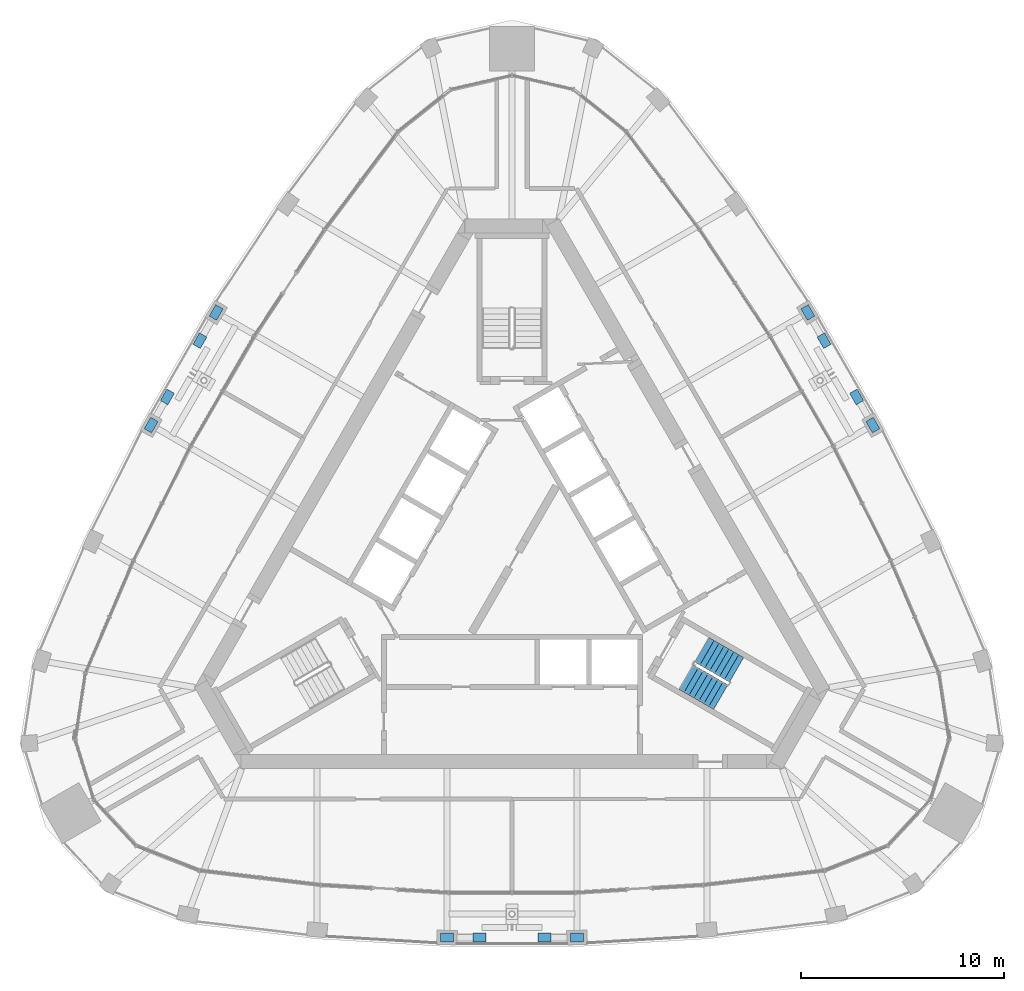
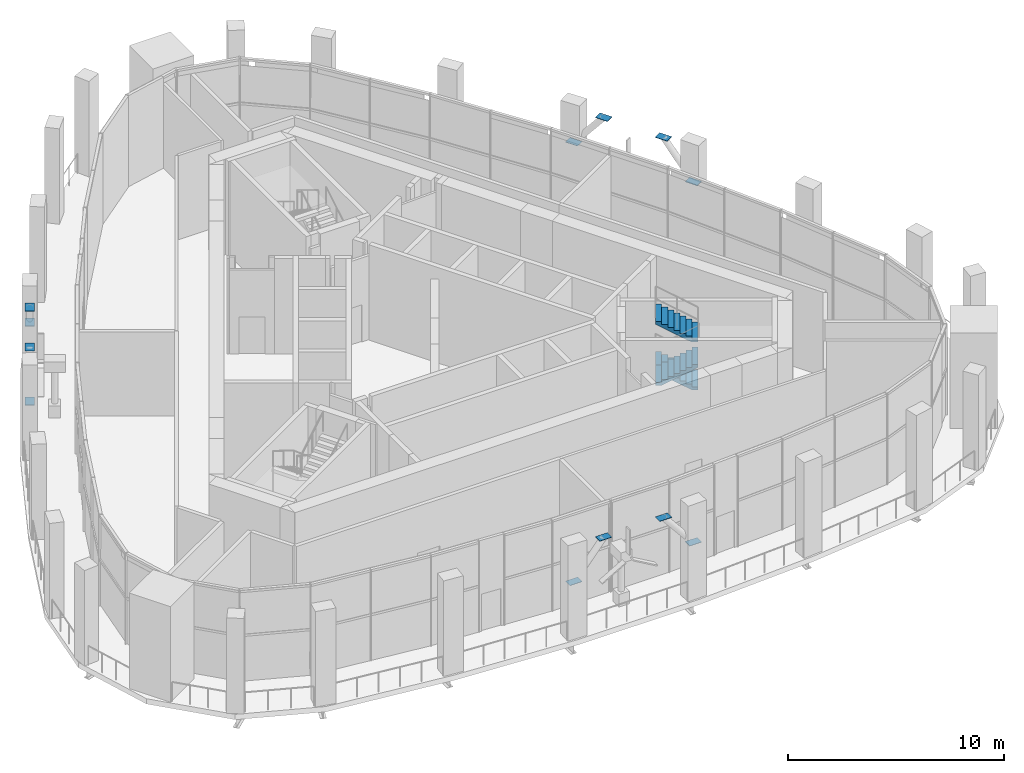
# One storey, part 17 of 23: 12 discrete accessories, 3 stair flights, 1 element without a shape of its own.
"""IFC4 building model written with IfcOpenShell, lengths in metres."""

from ifc_helpers import new_model, si_unit, direction, frame, origin, place, context, subcontext, project, spatial, polyline, outline, extrude, material, layer, layer_set, type_object, element, aggregate, save


model = new_model("IFC4")

# Units and contexts
model_context = context("Model", 3, precision=1e-05, world=origin(), true_north=direction((0.0, 1.0)))
body_context = subcontext(model_context, "Body", "Model", "MODEL_VIEW")
ifc_project = project(units=[si_unit("LENGTHUNIT", "METRE"), si_unit("AREAUNIT", "SQUARE_METRE"), si_unit("VOLUMEUNIT", "CUBIC_METRE"), si_unit("PLANEANGLEUNIT", "RADIAN"), si_unit("MASSUNIT", "GRAM", prefix="KILO")], contexts=[model_context])

# Site, building, storey
site_placement = place(None, origin())
site = spatial("IfcSite", under=ifc_project, at=site_placement, CompositionType="ELEMENT")
building_placement = place(site_placement, origin())
building = spatial("IfcBuilding", under=site, at=building_placement, Name="Mestral Congress Tower", CompositionType="ELEMENT")
storey_placement = place(building_placement, frame((0.0, 0.0, 261.60009765625)))
storey = spatial("IfcBuildingStorey", under=building, at=storey_placement, Name="L61", CompositionType="ELEMENT", Elevation=261.60009765625)

# Stair, stair flights
ifc_material_1 = material(Name="Concrete C60/75", Category="concrete")
stair_type = type_object("IfcStairType", Name="Exit stair 1400", PredefinedType="HALF_TURN_STAIR", material=ifc_material_1)
stair_placement = place(storey_placement, origin())
stair = element("IfcStair", 1, at=stair_placement, inside=storey, type_object=stair_type, Name="L61 ST1", PredefinedType="HALF_TURN_STAIR")
stair_flight_type = type_object("IfcStairFlightType", Name="Exit stair flight 1400", PredefinedType="STRAIGHT", material=ifc_material_1)
stair_flight_1_placement = place(storey_placement, frame((11.04833984375, -5.48388671875, 1.349853515625), z_axis=(0.0, 0.0, 1.0), x_axis=(-0.866025403784, 0.5, 0.0)))
stair_flight_1 = element("IfcStairFlight", 2, at=stair_flight_1_placement, type_object=stair_flight_type, Name="ST1 flight 2", NumberOfRisers=8, NumberOfTreads=7, PredefinedType="STRAIGHT", RiserHeight=0.16875, TreadLength=0.28, context=body_context, shape_type="SweptSolid", body=[
    extrude(outline(polyline([(0.0, 0.0), (0.0, 0.168701171875), (0.280029296875, 0.168701171875), (0.280029296875, 0.33740234375), (0.56005859375, 0.33740234375), (0.56005859375, 0.50634765625), (0.840087890625, 0.50634765625), (0.840087890625, 0.675048828125), (1.1201171875, 0.675048828125), (1.1201171875, 0.84375), (1.39990234375, 0.84375), (1.39990234375, 1.012451171875), (1.679931640625, 1.012451171875), (1.679931640625, 1.18115234375), (1.9599609375, 1.18115234375), (1.9599609375, 1.35009765625), (1.9599609375, 1.00634765625), (0.29052734375, 0.0), (0.0, 0.0)])), frame((0.0, 0.699951171875, 0.0), z_axis=(0.0, -1.0, 0.0), x_axis=(1.0, 0.0, 0.0)), (0.0, 0.0, 1.0), 0.700927734375),
    extrude(outline(polyline([(0.0, 0.0), (0.0, 0.168701171875), (0.280029296875, 0.168701171875), (0.280029296875, 0.33740234375), (0.56005859375, 0.33740234375), (0.56005859375, 0.50634765625), (0.840087890625, 0.50634765625), (0.840087890625, 0.675048828125), (1.1201171875, 0.675048828125), (1.1201171875, 0.84375), (1.39990234375, 0.84375), (1.39990234375, 1.012451171875), (1.679931640625, 1.012451171875), (1.679931640625, 1.18115234375), (1.9599609375, 1.18115234375), (1.9599609375, 1.35009765625), (1.9599609375, 1.00634765625), (0.29052734375, 0.0), (0.0, 0.0)])), frame((0.0, 0.0009765625, 0.0), z_axis=(0.0, -1.0, 0.0), x_axis=(1.0, 0.0, 0.0)), (0.0, 0.0, 1.0), 0.700927734375),
])
stair_flight_2_placement = place(storey_placement, frame((8.575927734375, -5.84619140625, 2.699951171875), z_axis=(0.0, 0.0, 1.0), x_axis=(0.866025403784, -0.5, 0.0)))
stair_flight_2 = element("IfcStairFlight", 3, at=stair_flight_2_placement, type_object=stair_flight_type, Name="ST1 flight 3", NumberOfRisers=8, NumberOfTreads=7, PredefinedType="STRAIGHT", RiserHeight=0.16875, TreadLength=0.28, context=body_context, shape_type="SweptSolid", body=[
    extrude(outline(polyline([(0.0, 0.0), (0.0, 0.168701171875), (0.280029296875, 0.168701171875), (0.280029296875, 0.33740234375), (0.56005859375, 0.33740234375), (0.56005859375, 0.50634765625), (0.840087890625, 0.50634765625), (0.840087890625, 0.675048828125), (1.1201171875, 0.675048828125), (1.1201171875, 0.84375), (1.39990234375, 0.84375), (1.39990234375, 1.012451171875), (1.679931640625, 1.012451171875), (1.679931640625, 1.18115234375), (1.9599609375, 1.18115234375), (1.9599609375, 1.35009765625), (1.9599609375, 1.00634765625), (0.29052734375, 0.0), (0.0, 0.0)])), frame((0.0, 0.699951171875, 0.0), z_axis=(0.0, -1.0, 0.0), x_axis=(1.0, 0.0, 0.0)), (0.0, 0.0, 1.0), 0.700927734375),
    extrude(outline(polyline([(0.0, 0.0), (0.0, 0.168701171875), (0.280029296875, 0.168701171875), (0.280029296875, 0.33740234375), (0.56005859375, 0.33740234375), (0.56005859375, 0.50634765625), (0.840087890625, 0.50634765625), (0.840087890625, 0.675048828125), (1.1201171875, 0.675048828125), (1.1201171875, 0.84375), (1.39990234375, 0.84375), (1.39990234375, 1.012451171875), (1.679931640625, 1.012451171875), (1.679931640625, 1.18115234375), (1.9599609375, 1.18115234375), (1.9599609375, 1.35009765625), (1.9599609375, 1.00634765625), (0.29052734375, 0.0), (0.0, 0.0)])), frame((0.0, 0.0009765625, 0.0), z_axis=(0.0, -1.0, 0.0), x_axis=(1.0, 0.0, 0.0)), (0.0, 0.0, 1.0), 0.700927734375),
])
stair_flight_3_placement = place(storey_placement, frame((11.04833984375, -5.48388671875, 4.0498046875), z_axis=(0.0, 0.0, 1.0), x_axis=(-0.866025403784, 0.5, 0.0)))
stair_flight_3 = element("IfcStairFlight", 4, at=stair_flight_3_placement, type_object=stair_flight_type, Name="ST1 flight 4", NumberOfRisers=8, NumberOfTreads=7, PredefinedType="STRAIGHT", RiserHeight=0.16875, TreadLength=0.28, context=body_context, shape_type="SweptSolid", body=[
    extrude(outline(polyline([(0.0, 0.0), (0.0, 0.168701171875), (0.280029296875, 0.168701171875), (0.280029296875, 0.33740234375), (0.56005859375, 0.33740234375), (0.56005859375, 0.50634765625), (0.840087890625, 0.50634765625), (0.840087890625, 0.675048828125), (1.1201171875, 0.675048828125), (1.1201171875, 0.84375), (1.39990234375, 0.84375), (1.39990234375, 1.012451171875), (1.679931640625, 1.012451171875), (1.679931640625, 1.18115234375), (1.9599609375, 1.18115234375), (1.9599609375, 1.35009765625), (1.9599609375, 1.00634765625), (0.29052734375, 0.0), (0.0, 0.0)])), frame((0.0, 0.699951171875, 0.0), z_axis=(0.0, -1.0, 0.0), x_axis=(1.0, 0.0, 0.0)), (0.0, 0.0, 1.0), 0.700927734375),
    extrude(outline(polyline([(0.0, 0.0), (0.0, 0.168701171875), (0.280029296875, 0.168701171875), (0.280029296875, 0.33740234375), (0.56005859375, 0.33740234375), (0.56005859375, 0.50634765625), (0.840087890625, 0.50634765625), (0.840087890625, 0.675048828125), (1.1201171875, 0.675048828125), (1.1201171875, 0.84375), (1.39990234375, 0.84375), (1.39990234375, 1.012451171875), (1.679931640625, 1.012451171875), (1.679931640625, 1.18115234375), (1.9599609375, 1.18115234375), (1.9599609375, 1.35009765625), (1.9599609375, 1.00634765625), (0.29052734375, 0.0), (0.0, 0.0)])), frame((0.0, 0.0009765625, 0.0), z_axis=(0.0, -1.0, 0.0), x_axis=(1.0, 0.0, 0.0)), (0.0, 0.0, 1.0), 0.700927734375),
])
aggregate(stair, [stair_flight_1, stair_flight_2, stair_flight_3])

# Discrete accessories
ifc_material_2 = material(Name="Steel S355", Category="steel")
ifc_layer = layer(ifc_material_2, 0.02001953125)
ifc_layer_set = layer_set([ifc_layer], Name="Steel S355")
discrete_accessory_type = type_object("IfcDiscreteAccessoryType", Name="Brace end gusset plate 20 S355", PredefinedType="BRACKET", material=ifc_layer_set)
placement_1 = place(storey_placement, frame((0.0, 0.0, 2.989990234375)))
element("IfcDiscreteAccessory", 5, at=placement_1, inside=storey, type_object=discrete_accessory_type, Name="Brace end gusset plate 20 S355", PredefinedType="BRACKET", context=body_context, shape_type="SweptSolid", body=[
    extrude(outline(polyline([(-17.7353515625, 6.1708984375), (-17.411376953125, 6.73193359375), (-17.776123046875, 6.9423828125), (-18.10009765625, 6.381591796875), (-17.7353515625, 6.1708984375)])), origin(), (0.0, 0.0, 1.0), 0.02001953125),
])
placement_2 = place(storey_placement, frame((0.0, 0.0, 4.94482421875)))
element("IfcDiscreteAccessory", 6, at=placement_2, inside=storey, type_object=discrete_accessory_type, Name="Brace end gusset plate 20 S355", PredefinedType="BRACKET", context=body_context, shape_type="SweptSolid", body=[
    extrude(outline(polyline([(-16.97607421875, 8.328125), (-17.300048828125, 7.76708984375), (-16.935302734375, 7.556396484375), (-16.611328125, 8.117431640625), (-16.97607421875, 8.328125)])), origin(), (0.0, 0.0, 1.0), 0.02001953125),
])
element("IfcDiscreteAccessory", 7, at=placement_2, inside=storey, type_object=discrete_accessory_type, Name="Brace end gusset plate 20 S355", PredefinedType="BRACKET", context=body_context, shape_type="SweptSolid", body=[
    extrude(outline(polyline([(-15.335693359375, 10.3271484375), (-15.01171875, 10.88818359375), (-15.37646484375, 11.0986328125), (-15.700439453125, 10.53759765625), (-15.335693359375, 10.3271484375)])), origin(), (0.0, 0.0, 1.0), 0.02001953125),
])
element("IfcDiscreteAccessory", 8, at=placement_1, inside=storey, type_object=discrete_accessory_type, Name="Brace end gusset plate 20 S355", PredefinedType="BRACKET", context=body_context, shape_type="SweptSolid", body=[
    extrude(outline(polyline([(-14.576416015625, 12.484375), (-14.900390625, 11.92333984375), (-14.53564453125, 11.712646484375), (-14.2119140625, 12.273681640625), (-14.576416015625, 12.484375)])), origin(), (0.0, 0.0, 1.0), 0.02001953125),
])
element("IfcDiscreteAccessory", 9, at=placement_1, inside=storey, type_object=discrete_accessory_type, Name="Brace end gusset plate 20 S355", PredefinedType="BRACKET", context=body_context, shape_type="SweptSolid", body=[
    extrude(outline(polyline([(-3.5234375, -18.86572265625), (-2.87548828125, -18.86572265625), (-2.87548828125, -18.444580078125), (-3.5234375, -18.444580078125), (-3.5234375, -18.86572265625)])), origin(), (0.0, 0.0, 1.0), 0.02001953125),
])
element("IfcDiscreteAccessory", 10, at=placement_2, inside=storey, type_object=discrete_accessory_type, Name="Brace end gusset plate 20 S355", PredefinedType="BRACKET", context=body_context, shape_type="SweptSolid", body=[
    extrude(outline(polyline([(-1.275634765625, -18.444580078125), (-1.92333984375, -18.444580078125), (-1.92333984375, -18.86572265625), (-1.275634765625, -18.86572265625), (-1.275634765625, -18.444580078125)])), origin(), (0.0, 0.0, 1.0), 0.02001953125),
])
element("IfcDiscreteAccessory", 11, at=placement_2, inside=storey, type_object=discrete_accessory_type, Name="Brace end gusset plate 20 S355", PredefinedType="BRACKET", context=body_context, shape_type="SweptSolid", body=[
    extrude(outline(polyline([(1.275634765625, -18.86572265625), (1.92333984375, -18.86572265625), (1.92333984375, -18.444580078125), (1.275634765625, -18.444580078125), (1.275634765625, -18.86572265625)])), origin(), (0.0, 0.0, 1.0), 0.02001953125),
])
element("IfcDiscreteAccessory", 12, at=placement_1, inside=storey, type_object=discrete_accessory_type, Name="Brace end gusset plate 20 S355", PredefinedType="BRACKET", context=body_context, shape_type="SweptSolid", body=[
    extrude(outline(polyline([(3.5234375, -18.444580078125), (2.87548828125, -18.444580078125), (2.87548828125, -18.86572265625), (3.5234375, -18.86572265625), (3.5234375, -18.444580078125)])), origin(), (0.0, 0.0, 1.0), 0.02001953125),
])
element("IfcDiscreteAccessory", 13, at=placement_1, inside=storey, type_object=discrete_accessory_type, Name="Brace end gusset plate 20 S355", PredefinedType="BRACKET", context=body_context, shape_type="SweptSolid", body=[
    extrude(outline(polyline([(14.2119140625, 12.273681640625), (14.53564453125, 11.712646484375), (14.900390625, 11.92333984375), (14.576416015625, 12.484375), (14.2119140625, 12.273681640625)])), origin(), (0.0, 0.0, 1.0), 0.02001953125),
])
element("IfcDiscreteAccessory", 14, at=placement_2, inside=storey, type_object=discrete_accessory_type, Name="Brace end gusset plate 20 S355", PredefinedType="BRACKET", context=body_context, shape_type="SweptSolid", body=[
    extrude(outline(polyline([(15.700439453125, 10.53759765625), (15.37646484375, 11.0986328125), (15.01171875, 10.88818359375), (15.335693359375, 10.3271484375), (15.700439453125, 10.53759765625)])), origin(), (0.0, 0.0, 1.0), 0.02001953125),
])
element("IfcDiscreteAccessory", 15, at=placement_2, inside=storey, type_object=discrete_accessory_type, Name="Brace end gusset plate 20 S355", PredefinedType="BRACKET", context=body_context, shape_type="SweptSolid", body=[
    extrude(outline(polyline([(16.611328125, 8.117431640625), (16.935302734375, 7.556396484375), (17.300048828125, 7.76708984375), (16.97607421875, 8.328125), (16.611328125, 8.117431640625)])), origin(), (0.0, 0.0, 1.0), 0.02001953125),
])
element("IfcDiscreteAccessory", 16, at=placement_1, inside=storey, type_object=discrete_accessory_type, Name="Brace end gusset plate 20 S355", PredefinedType="BRACKET", context=body_context, shape_type="SweptSolid", body=[
    extrude(outline(polyline([(18.10009765625, 6.381591796875), (17.776123046875, 6.9423828125), (17.411376953125, 6.73193359375), (17.7353515625, 6.1708984375), (18.10009765625, 6.381591796875)])), origin(), (0.0, 0.0, 1.0), 0.02001953125),
])

save(model, "model.ifc")
